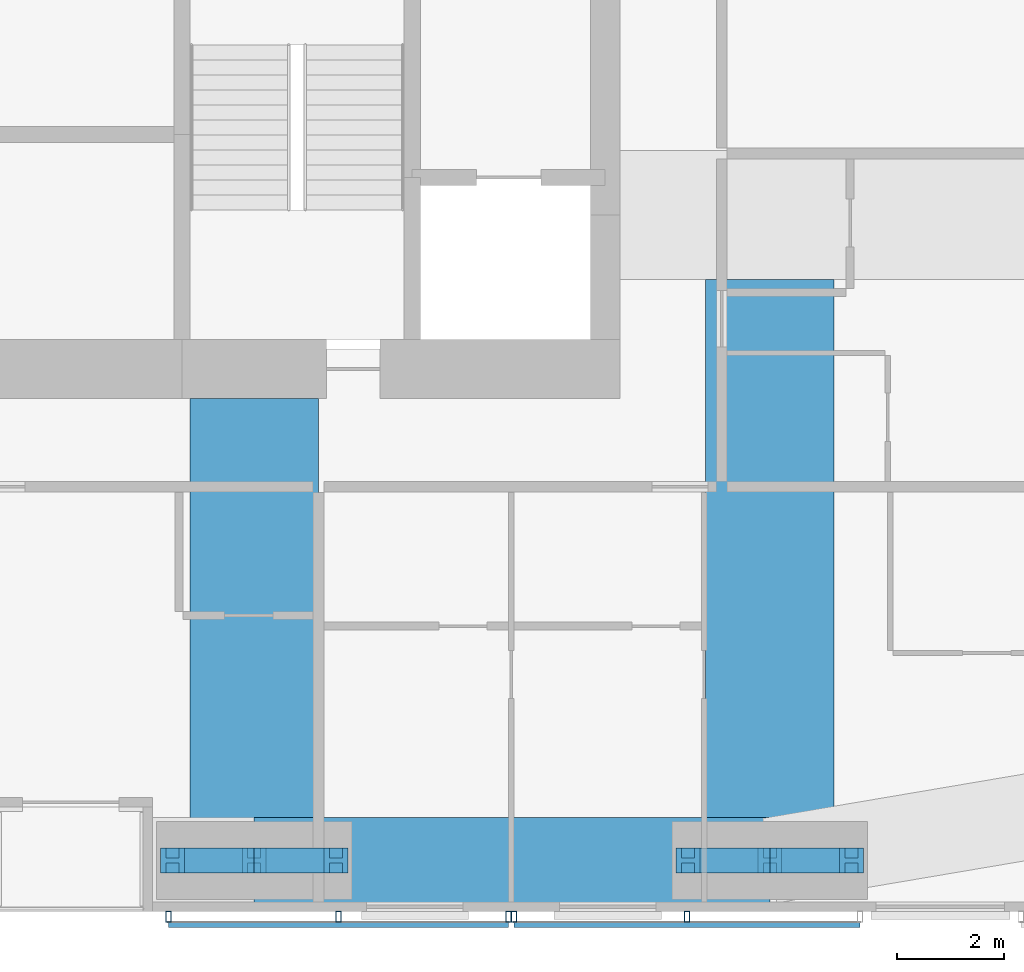
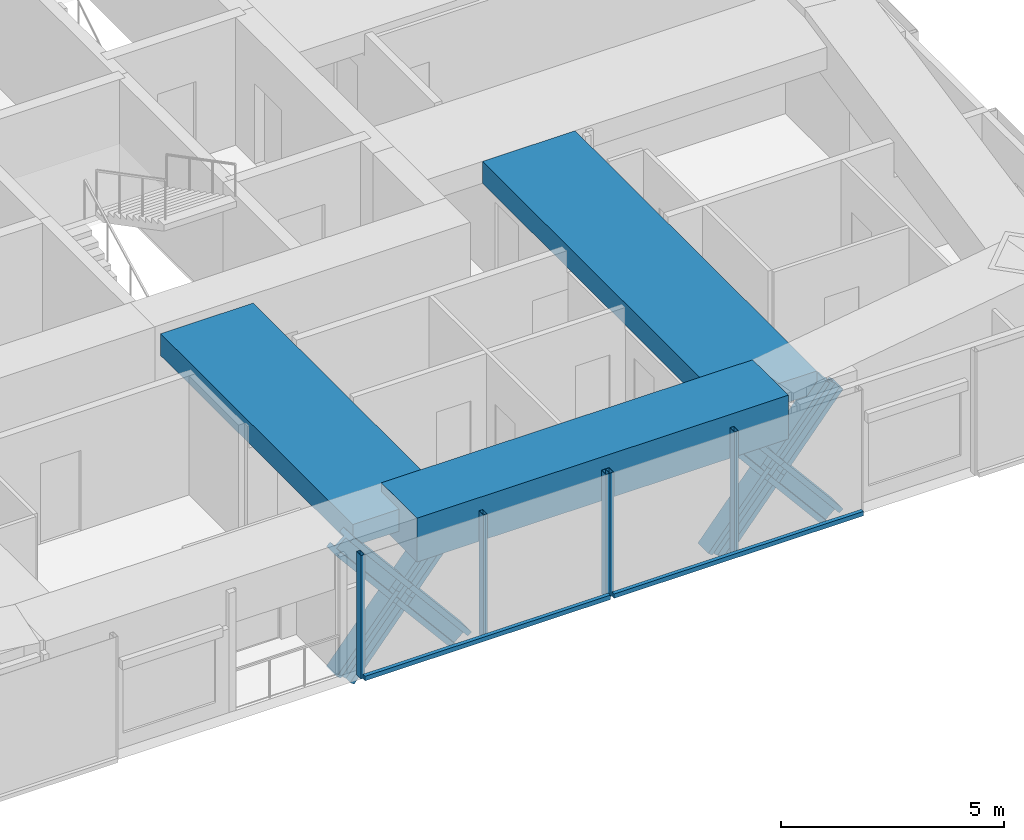
# One storey, part 5 of 19: 15 members, 3 beams, 2 elements without a shape of their own.
"""IFC4 building model written with IfcOpenShell, lengths in metres."""

from ifc_helpers import new_model, si_unit, direction, frame, origin, origin_2d, place, context, subcontext, project, spatial, rectangle, hollow_rectangle, i_section, extrude, material, material_profile, profile_set, type_object, element, aggregate, save


model = new_model("IFC4")

# Units and contexts
model_context = context("Model", 3, precision=1e-05, world=origin(), true_north=direction((0.0, 1.0)))
body_context = subcontext(model_context, "Body", "Model", "MODEL_VIEW")
ifc_project = project(units=[si_unit("LENGTHUNIT", "METRE"), si_unit("AREAUNIT", "SQUARE_METRE"), si_unit("VOLUMEUNIT", "CUBIC_METRE"), si_unit("PLANEANGLEUNIT", "RADIAN"), si_unit("MASSUNIT", "GRAM", prefix="KILO")], contexts=[model_context])

# Site, building, storey
site_placement = place(None, origin())
site = spatial("IfcSite", under=ifc_project, at=site_placement, CompositionType="ELEMENT")
building_placement = place(site_placement, origin())
building = spatial("IfcBuilding", under=site, at=building_placement, Name="Jalousie Tower", CompositionType="ELEMENT")
storey_placement = place(building_placement, frame((0.0, 0.0, 217.949951171875)))
storey = spatial("IfcBuildingStorey", under=building, at=storey_placement, Name="L59", CompositionType="ELEMENT", Elevation=217.949951171875)

# Members
ifc_material_1 = material(Name="Steel ASTM A992 Grade 50", Category="steel")
ifc_material_profile_1 = material_profile(ifc_material_1, i_section(OverallWidth=0.472412109375, OverallDepth=0.5791015625, WebThickness=0.094970703125, FlangeThickness=0.1298828125, at=origin_2d()), Name="W14X808")
ifc_profile_set_1 = profile_set([ifc_material_profile_1], Name="Steel ASTM A992 Grade 50")
member_type_1 = type_object("IfcMemberType", Name="PERIMETER BRACE W14X808", PredefinedType="BRACE", material=ifc_profile_set_1)
member_1_placement = place(storey_placement, frame((35.72509765625, 0.949951171875, -0.75), z_axis=(0.641203686759, 0.0, 0.767370726629), x_axis=(0.0, 1.0, 0.0)))
element("IfcMember", 1, at=member_1_placement, inside=storey, type_object=member_type_1, Name="Perimeter brace 03 L59 part 1", PredefinedType="BRACE", context=body_context, shape_type="SweptSolid", body=[
    extrude(i_section(OverallWidth=0.472412109375, OverallDepth=0.5791015625, WebThickness=0.094970703125, FlangeThickness=0.1298828125, at=origin_2d()), origin(), (0.0, 0.0, 1.0), 2.378173828125),
])
member_2_placement = place(storey_placement, frame((37.25, 0.949951171875, 1.074951171875), z_axis=(0.641153177267, 0.0, 0.767412928794), x_axis=(0.0, 1.0, 0.0)))
element("IfcMember", 2, at=member_2_placement, inside=storey, type_object=member_type_1, Name="Perimeter brace 03 L59 part 2", PredefinedType="BRACE", context=body_context, shape_type="SweptSolid", body=[
    extrude(i_section(OverallWidth=0.472412109375, OverallDepth=0.5791015625, WebThickness=0.094970703125, FlangeThickness=0.1298828125, at=origin_2d()), origin(), (0.0, 0.0, 1.0), 2.37841796875),
])
member_3_placement = place(storey_placement, frame((38.77490234375, 0.949951171875, -0.75), z_axis=(-0.641203686759, 0.0, 0.767370726629), x_axis=(0.0, -1.0, 0.0)))
element("IfcMember", 3, at=member_3_placement, inside=storey, type_object=member_type_1, Name="Perimeter brace 03 L59 part 3", PredefinedType="BRACE", context=body_context, shape_type="SweptSolid", body=[
    extrude(i_section(OverallWidth=0.472412109375, OverallDepth=0.5791015625, WebThickness=0.094970703125, FlangeThickness=0.1298828125, at=origin_2d()), origin(), (0.0, 0.0, 1.0), 2.378173828125),
])
member_4_placement = place(storey_placement, frame((37.25, 0.949951171875, 1.074951171875), z_axis=(-0.641153177267, 0.0, 0.767412928794), x_axis=(0.0, -1.0, 0.0)))
element("IfcMember", 4, at=member_4_placement, inside=storey, type_object=member_type_1, Name="Perimeter brace 03 L59 part 4", PredefinedType="BRACE", context=body_context, shape_type="SweptSolid", body=[
    extrude(i_section(OverallWidth=0.472412109375, OverallDepth=0.5791015625, WebThickness=0.094970703125, FlangeThickness=0.1298828125, at=origin_2d()), origin(), (0.0, 0.0, 1.0), 2.37841796875),
])
member_5_placement = place(storey_placement, frame((45.35009765625, 0.949951171875, -0.75), z_axis=(0.641203686759, 0.0, 0.767370726629), x_axis=(0.0, 1.0, 0.0)))
element("IfcMember", 5, at=member_5_placement, inside=storey, type_object=member_type_1, Name="Perimeter brace 04 L59 part 1", PredefinedType="BRACE", context=body_context, shape_type="SweptSolid", body=[
    extrude(i_section(OverallWidth=0.472412109375, OverallDepth=0.5791015625, WebThickness=0.094970703125, FlangeThickness=0.1298828125, at=origin_2d()), origin(), (0.0, 0.0, 1.0), 2.378173828125),
])
member_6_placement = place(storey_placement, frame((46.875, 0.949951171875, 1.074951171875), z_axis=(0.641153177267, 0.0, 0.767412928794), x_axis=(0.0, 1.0, 0.0)))
element("IfcMember", 6, at=member_6_placement, inside=storey, type_object=member_type_1, Name="Perimeter brace 04 L59 part 2", PredefinedType="BRACE", context=body_context, shape_type="SweptSolid", body=[
    extrude(i_section(OverallWidth=0.472412109375, OverallDepth=0.5791015625, WebThickness=0.094970703125, FlangeThickness=0.1298828125, at=origin_2d()), origin(), (0.0, 0.0, 1.0), 2.37841796875),
])
member_7_placement = place(storey_placement, frame((48.39990234375, 0.949951171875, -0.75), z_axis=(-0.641203686759, 0.0, 0.767370726629), x_axis=(0.0, -1.0, 0.0)))
element("IfcMember", 7, at=member_7_placement, inside=storey, type_object=member_type_1, Name="Perimeter brace 04 L59 part 3", PredefinedType="BRACE", context=body_context, shape_type="SweptSolid", body=[
    extrude(i_section(OverallWidth=0.472412109375, OverallDepth=0.5791015625, WebThickness=0.094970703125, FlangeThickness=0.1298828125, at=origin_2d()), origin(), (0.0, 0.0, 1.0), 2.378173828125),
])
member_8_placement = place(storey_placement, frame((46.875, 0.949951171875, 1.074951171875), z_axis=(-0.641153177267, 0.0, 0.767412928794), x_axis=(0.0, -1.0, 0.0)))
element("IfcMember", 8, at=member_8_placement, inside=storey, type_object=member_type_1, Name="Perimeter brace 04 L59 part 4", PredefinedType="BRACE", context=body_context, shape_type="SweptSolid", body=[
    extrude(i_section(OverallWidth=0.472412109375, OverallDepth=0.5791015625, WebThickness=0.094970703125, FlangeThickness=0.1298828125, at=origin_2d()), origin(), (0.0, 0.0, 1.0), 2.37841796875),
])

# Beams
ifc_material_2 = material(Name="Concrete f'c 40 MPa", Category="concrete")
ifc_material_profile_2 = material_profile(ifc_material_2, rectangle(XDim=1.60009765625, YDim=1.199951171875, at=origin_2d()), Name="RC 1600x1200")
ifc_profile_set_2 = profile_set([ifc_material_profile_2], Name="Concrete f'c 40 MPa")
beam_type_1 = type_object("IfcBeamType", Name="RC BEAM 1600x1200", PredefinedType="BEAM", material=ifc_profile_set_2)
beam_1_placement = place(storey_placement, frame((37.25, 0.949951171875, 2.900146484375), z_axis=(1.0, 0.0, 0.0), x_axis=(0.0, 1.0, 0.0)))
element("IfcBeam", 9, at=beam_1_placement, inside=storey, type_object=beam_type_1, Name="Edge band beam 03-04 under L60", PredefinedType="BEAM", context=body_context, shape_type="SweptSolid", body=[
    extrude(rectangle(XDim=1.60009765625, YDim=1.199951171875, at=origin_2d()), origin(), (0.0, 0.0, 1.0), 9.625),
])
ifc_material_3 = material(Name="Concrete f'c 40 MPa", Category="concrete")
ifc_material_profile_3 = material_profile(ifc_material_3, rectangle(XDim=2.39990234375, YDim=0.60009765625, at=origin_2d()), Name="RC 2400x600")
ifc_profile_set_3 = profile_set([ifc_material_profile_3], Name="Concrete f'c 40 MPa")
beam_type_2 = type_object("IfcBeamType", Name="RC BEAM 2400x600", PredefinedType="BEAM", material=ifc_profile_set_3)
beam_2_placement = place(storey_placement, frame((37.25, 0.949951171875, 2.9599609375), z_axis=(0.0, 1.0, 0.0), x_axis=(-1.0, 0.0, 0.0)))
element("IfcBeam", 10, at=beam_2_placement, inside=storey, type_object=beam_type_2, Name="Floor band beam under L60", PredefinedType="BEAM", context=body_context, shape_type="SweptSolid", body=[
    extrude(rectangle(XDim=2.39990234375, YDim=0.60009765625, at=origin_2d()), origin(), (0.0, 0.0, 1.0), 8.625),
])
beam_3_placement = place(storey_placement, frame((46.875, 0.949951171875, 2.9599609375), z_axis=(0.0, 1.0, 0.0), x_axis=(-1.0, 0.0, 0.0)))
element("IfcBeam", 11, at=beam_3_placement, inside=storey, type_object=beam_type_2, Name="Floor band beam under L60", PredefinedType="BEAM", context=body_context, shape_type="SweptSolid", body=[
    extrude(rectangle(XDim=2.39990234375, YDim=0.60009765625, at=origin_2d()), origin(), (0.0, 0.0, 1.0), 10.85009765625),
])

# Curtain wall, members
ifc_material_4 = material(Name="Perforated aluminium sheet", Category="aluminium")
curtain_wall_type = type_object("IfcCurtainWallType", Name="SOLAR SCREEN SS-2", PredefinedType="USERDEFINED", material=ifc_material_4)
curtain_wall_1_placement = place(storey_placement, origin())
curtain_wall_1 = element("IfcCurtainWall", 12, at=curtain_wall_1_placement, inside=storey, type_object=curtain_wall_type, Name="Solar screen L59", ObjectType="SOLAR SCREEN SS-2", PredefinedType="USERDEFINED")
ifc_material_5 = material(Name="Steel ASTM A500 Grade C", Category="steel")
ifc_material_profile_4 = material_profile(ifc_material_5, hollow_rectangle(XDim=0.1015625, YDim=0.203125, WallThickness=0.0078125, at=origin_2d()), Name="HSS8X4X5/16")
ifc_profile_set_4 = profile_set([ifc_material_profile_4], Name="Steel ASTM A500 Grade C")
member_type_2 = type_object("IfcMemberType", Name="SOLAR SCREEN SS-2 MULLION", PredefinedType="MULLION", material=ifc_profile_set_4)
member_9_placement = place(storey_placement, frame((35.64990234375, -0.0966796875, -0.119873046875), z_axis=(0.0, 0.0, 1.0), x_axis=(1.0, 0.0, 0.0)))
member_9 = element("IfcMember", 13, at=member_9_placement, type_object=member_type_2, Name="SS2 post 1", PredefinedType="MULLION", context=body_context, shape_type="SweptSolid", body=[
    extrude(hollow_rectangle(XDim=0.1015625, YDim=0.203125, WallThickness=0.0078125, at=origin_2d()), origin(), (0.0, 0.0, 1.0), 3.3798828125),
])
member_10_placement = place(storey_placement, frame((38.824951171875, -0.0966796875, -0.119873046875), z_axis=(0.0, 0.0, 1.0), x_axis=(1.0, 0.0, 0.0)))
member_10 = element("IfcMember", 14, at=member_10_placement, type_object=member_type_2, Name="SS2 post 2", PredefinedType="MULLION", context=body_context, shape_type="SweptSolid", body=[
    extrude(hollow_rectangle(XDim=0.1015625, YDim=0.203125, WallThickness=0.0078125, at=origin_2d()), origin(), (0.0, 0.0, 1.0), 3.3798828125),
])
member_11_placement = place(storey_placement, frame((42.0, -0.0966796875, -0.119873046875), z_axis=(0.0, 0.0, 1.0), x_axis=(1.0, 0.0, 0.0)))
member_11 = element("IfcMember", 15, at=member_11_placement, type_object=member_type_2, Name="SS2 post 3", PredefinedType="MULLION", context=body_context, shape_type="SweptSolid", body=[
    extrude(hollow_rectangle(XDim=0.1015625, YDim=0.203125, WallThickness=0.0078125, at=origin_2d()), origin(), (0.0, 0.0, 1.0), 3.3798828125),
])

curtain_wall_2_placement = place(storey_placement, origin())
curtain_wall_2 = element("IfcCurtainWall", 16, at=curtain_wall_2_placement, inside=storey, type_object=curtain_wall_type, Name="Solar screen L59", ObjectType="SOLAR SCREEN SS-2", PredefinedType="USERDEFINED")
member_12_placement = place(storey_placement, frame((42.10009765625, -0.0966796875, -0.119873046875), z_axis=(0.0, 0.0, 1.0), x_axis=(1.0, 0.0, 0.0)))
member_12 = element("IfcMember", 17, at=member_12_placement, type_object=member_type_2, Name="SS2 post 1", PredefinedType="MULLION", context=body_context, shape_type="SweptSolid", body=[
    extrude(hollow_rectangle(XDim=0.1015625, YDim=0.203125, WallThickness=0.0078125, at=origin_2d()), origin(), (0.0, 0.0, 1.0), 3.3798828125),
])
member_13_placement = place(storey_placement, frame((45.32958984375, -0.0966796875, -0.119873046875), z_axis=(0.0, 0.0, 1.0), x_axis=(1.0, 0.0, 0.0)))
member_13 = element("IfcMember", 18, at=member_13_placement, type_object=member_type_2, Name="SS2 post 2", PredefinedType="MULLION", context=body_context, shape_type="SweptSolid", body=[
    extrude(hollow_rectangle(XDim=0.1015625, YDim=0.203125, WallThickness=0.0078125, at=origin_2d()), origin(), (0.0, 0.0, 1.0), 3.3798828125),
])

# Member
ifc_material_6 = material(Name="Extruded aluminium screen rail", Category="aluminium")
ifc_material_profile_5 = material_profile(ifc_material_6, rectangle(XDim=0.1015625, YDim=0.1201171875, at=origin_2d()), Name="RAIL 102x120")
ifc_profile_set_5 = profile_set([ifc_material_profile_5], Name="Extruded aluminium screen rail")
member_type_3 = type_object("IfcMemberType", Name="SOLAR SCREEN SS-2 TRANSOM", PredefinedType="USERDEFINED", material=ifc_profile_set_5)
member_14_placement = place(storey_placement, frame((35.64990234375, -0.2490234375, -0.06005859375), z_axis=(1.0, 0.0, 0.0), x_axis=(0.0, 1.0, 0.0)))
member_14 = element("IfcMember", 19, at=member_14_placement, type_object=member_type_3, Name="SS2 rail", ObjectType="TRANSOM", PredefinedType="USERDEFINED", context=body_context, shape_type="SweptSolid", body=[
    extrude(rectangle(XDim=0.1015625, YDim=0.1201171875, at=origin_2d()), origin(), (0.0, 0.0, 1.0), 6.35009765625),
])

aggregate(curtain_wall_1, [member_9, member_10, member_11, member_14])

member_15_placement = place(storey_placement, frame((42.10009765625, -0.2490234375, -0.06005859375), z_axis=(1.0, 0.0, 0.0), x_axis=(0.0, 1.0, 0.0)))
member_15 = element("IfcMember", 20, at=member_15_placement, type_object=member_type_3, Name="SS2 rail", ObjectType="TRANSOM", PredefinedType="USERDEFINED", context=body_context, shape_type="SweptSolid", body=[
    extrude(rectangle(XDim=0.1015625, YDim=0.1201171875, at=origin_2d()), origin(), (0.0, 0.0, 1.0), 6.459228515625),
])

aggregate(curtain_wall_2, [member_12, member_13, member_15])

save(model, "model.ifc")
